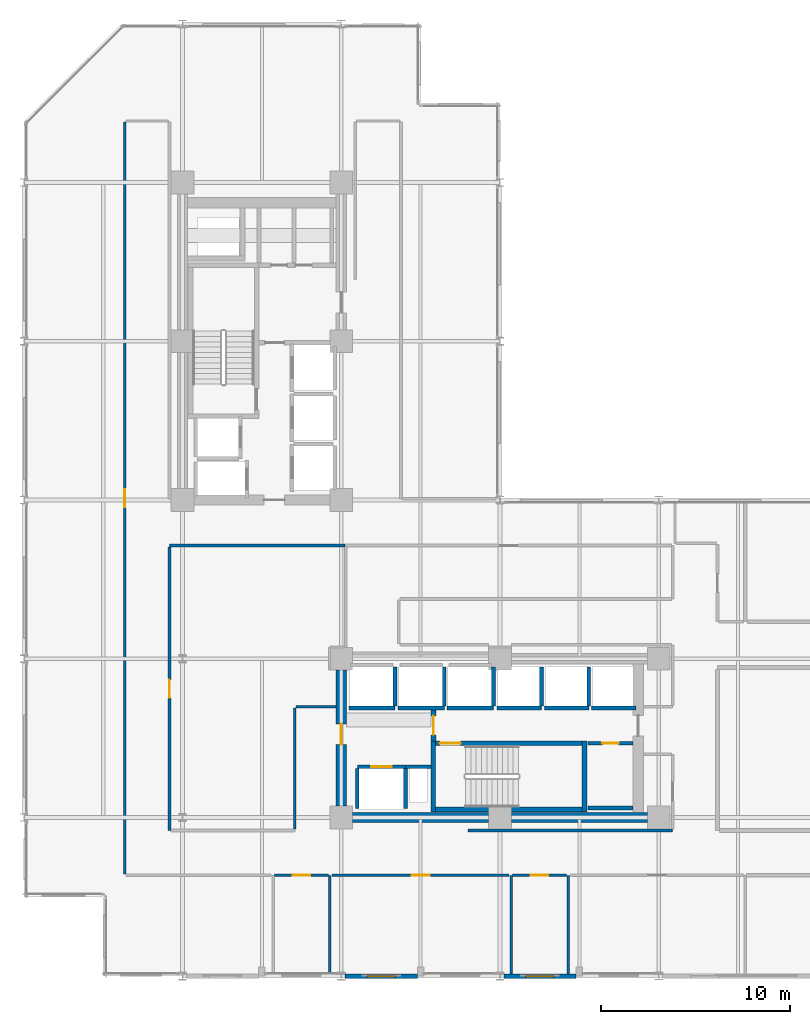
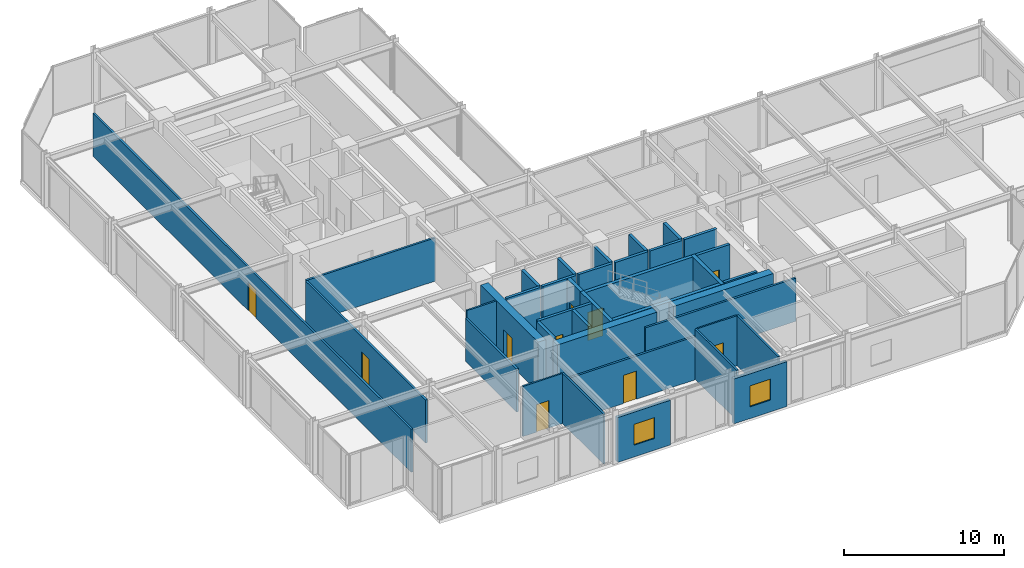
# One storey, part 32 of 38: 39 walls, 10 doors, 2 windows, 12 openings.
"""IFC4 building model written with IfcOpenShell, lengths in metres."""

from ifc_helpers import new_model, si_unit, direction, frame, frame_2d, origin, place, context, subcontext, project, spatial, rectangle, extrude, material, layer, layer_set, type_object, element, fill, save


model = new_model("IFC4")

# Units and contexts
model_context = context("Model", 3, precision=1e-05, world=origin(), true_north=direction((0.0, 1.0)))
body_context = subcontext(model_context, "Body", "Model", "MODEL_VIEW")
ifc_project = project(units=[si_unit("LENGTHUNIT", "METRE"), si_unit("AREAUNIT", "SQUARE_METRE"), si_unit("VOLUMEUNIT", "CUBIC_METRE"), si_unit("PLANEANGLEUNIT", "RADIAN"), si_unit("MASSUNIT", "GRAM", prefix="KILO")], contexts=[model_context])

# Site, building, storey
site_placement = place(None, origin())
site = spatial("IfcSite", under=ifc_project, at=site_placement, CompositionType="ELEMENT")
building_placement = place(site_placement, origin())
building = spatial("IfcBuilding", under=site, at=building_placement, Name="Nerrivon Quay Data Exchange", CompositionType="ELEMENT")
storey_placement = place(building_placement, frame((0.0, 0.0, 88.5)))
storey = spatial("IfcBuildingStorey", under=building, at=storey_placement, Name="L20", CompositionType="ELEMENT", Elevation=88.5)

# Wall, opening, window
ifc_material_1 = material(Name="Architectural terracotta precast concrete N50 (50 MPa)", Category="masonry")
ifc_layer_1 = layer(ifc_material_1, 0.239990234375)
ifc_layer_set_1 = layer_set([ifc_layer_1], Name="Architectural terracotta precast concrete N50 (50 MPa)")
wall_type_1 = type_object("IfcWallType", Name="EW-PREC-240", PredefinedType="STANDARD", material=ifc_layer_set_1)
wall_1_placement = place(storey_placement, frame((29.22509765625, 0.0, 0.0), z_axis=(0.0, 0.0, 1.0), x_axis=(-1.0, 0.0, 0.0)))
wall_1 = element("IfcWall", 1, at=wall_1_placement, inside=storey, type_object=wall_type_1, Name="L20 Podium Precast Spandrel Wall 9", PredefinedType="STANDARD", context=body_context, shape_type="SweptSolid", body=[
    extrude(rectangle(XDim=3.8251953125, YDim=0.239990234375, at=frame_2d((1.91259765625, 0.0))), origin(), (0.0, 0.0, 1.0), 3.422119140625),
])
opening_1_placement = place(wall_1_placement, frame((1.175048828125, 0.0, 0.89990234375)))
opening_1 = element("IfcOpeningElement", 2, at=opening_1_placement, cuts=wall_1, Name="Opening WN4", PredefinedType="OPENING", context=body_context, shape_type="SweptSolid", body=[
    extrude(rectangle(XDim=1.5, YDim=1.60009765625, at=frame_2d((0.75, 0.800048828125))), frame((0.0, 0.1298828125, 0.0), z_axis=(0.0, -1.0, 0.0), x_axis=(1.0, 0.0, 0.0)), (0.0, 0.0, 1.0), 0.260009765625),
])
ifc_material_2 = material(Name="Double-glazed low-E solar control glass", Category="glass")
window_type = type_object("IfcWindowType", Name="WIN-W4-1500x1600", PartitioningType="SINGLE_PANEL", PredefinedType="WINDOW", material=ifc_material_2)
window_1_placement = place(opening_1_placement, origin())
window_1 = element("IfcWindow", 3, at=window_1_placement, inside=storey, type_object=window_type, Name="L20 Solar Facade Window 9", OverallHeight=1.60009765625, OverallWidth=1.5, PartitioningType="SINGLE_PANEL", PredefinedType="WINDOW", context=body_context, shape_type="SweptSolid", body=[
    extrude(rectangle(XDim=1.5, YDim=1.60009765625, at=frame_2d((0.75, 0.800048828125))), frame((0.0, 0.030029296875, 0.0), z_axis=(0.0, -1.0, 0.0), x_axis=(1.0, 0.0, 0.0)), (0.0, 0.0, 1.0), 0.06005859375),
])
fill(opening_1, window_1)

wall_2_placement = place(storey_placement, frame((20.824951171875, 0.0, 0.0), z_axis=(0.0, 0.0, 1.0), x_axis=(-1.0, 0.0, 0.0)))
wall_2 = element("IfcWall", 4, at=wall_2_placement, inside=storey, type_object=wall_type_1, Name="L20 Podium Precast Spandrel Wall 11", PredefinedType="STANDARD", context=body_context, shape_type="SweptSolid", body=[
    extrude(rectangle(XDim=3.824951171875, YDim=0.239990234375, at=frame_2d((1.91259765625, 0.0))), origin(), (0.0, 0.0, 1.0), 3.422119140625),
])
opening_2_placement = place(wall_2_placement, frame((1.16259765625, 0.0, 0.89990234375)))
opening_2 = element("IfcOpeningElement", 5, at=opening_2_placement, cuts=wall_2, Name="Opening WN4", PredefinedType="OPENING", context=body_context, shape_type="SweptSolid", body=[
    extrude(rectangle(XDim=1.5, YDim=1.60009765625, at=frame_2d((0.75, 0.800048828125))), frame((0.0, 0.1298828125, 0.0), z_axis=(0.0, -1.0, 0.0), x_axis=(1.0, 0.0, 0.0)), (0.0, 0.0, 1.0), 0.260009765625),
])
window_2_placement = place(opening_2_placement, origin())
window_2 = element("IfcWindow", 6, at=window_2_placement, inside=storey, type_object=window_type, Name="L20 Solar Facade Window 11", OverallHeight=1.60009765625, OverallWidth=1.5, PartitioningType="SINGLE_PANEL", PredefinedType="WINDOW", context=body_context, shape_type="SweptSolid", body=[
    extrude(rectangle(XDim=1.5, YDim=1.60009765625, at=frame_2d((0.75, 0.800048828125))), frame((0.0, 0.030029296875, 0.0), z_axis=(0.0, -1.0, 0.0), x_axis=(1.0, 0.0, 0.0)), (0.0, 0.0, 1.0), 0.06005859375),
])
fill(opening_2, window_2)

# Walls
ifc_material_3 = material(Name="Concrete S65 (65 MPa)", Category="concrete")
ifc_layer_2 = layer(ifc_material_3, 0.550048828125)
ifc_layer_set_2 = layer_set([ifc_layer_2], Name="Concrete S65 (65 MPa)")
wall_type_2 = type_object("IfcWallType", Name="WALL-CW-700", PredefinedType="SHEAR", material=ifc_layer_set_2)
wall_3_placement = place(storey_placement, frame((17.39990234375, 8.39990234375, 0.0), z_axis=(0.0, 0.0, 1.0), x_axis=(1.0, 0.0, 0.0)))
element("IfcWall", 7, at=wall_3_placement, inside=storey, type_object=wall_type_2, Name="L20 East Split-Core Shear Wall ECW-S1", PredefinedType="SHEAR", context=body_context, shape_type="SweptSolid", body=[
    extrude(rectangle(XDim=7.2001953125, YDim=0.550048828125, at=frame_2d((3.60009765625, 0.0))), origin(), (0.0, 0.0, 1.0), 3.824951171875),
])
wall_4_placement = place(storey_placement, frame((25.800048828125, 8.39990234375, 0.0), z_axis=(0.0, 0.0, 1.0), x_axis=(1.0, 0.0, 0.0)))
element("IfcWall", 8, at=wall_4_placement, inside=storey, type_object=wall_type_2, Name="L20 East Split-Core Shear Wall ECW-S2", PredefinedType="SHEAR", context=body_context, shape_type="SweptSolid", body=[
    extrude(rectangle(XDim=7.199951171875, YDim=0.550048828125, at=frame_2d((3.60009765625, 0.0))), origin(), (0.0, 0.0, 1.0), 3.824951171875),
])

# Wall, opening, door
wall_5_placement = place(storey_placement, frame((16.800048828125, 9.0, 0.0), z_axis=(0.0, 0.0, 1.0), x_axis=(0.0, 1.0, 0.0)))
wall_5 = element("IfcWall", 9, at=wall_5_placement, inside=storey, type_object=wall_type_2, Name="L20 East Split-Core Shear Wall ECW-W1", PredefinedType="SHEAR", context=body_context, shape_type="SweptSolid", body=[
    extrude(rectangle(XDim=7.199951171875, YDim=0.550048828125, at=frame_2d((3.60009765625, 0.0))), origin(), (0.0, 0.0, 1.0), 3.824951171875),
])
opening_3_placement = place(wall_5_placement, frame((3.25, 0.0, 0.0)))
opening_3 = element("IfcOpeningElement", 10, at=opening_3_placement, cuts=wall_5, Name="Opening FD-120", PredefinedType="OPENING", context=body_context, shape_type="SweptSolid", body=[
    extrude(rectangle(XDim=1.10009765625, YDim=2.14990234375, at=frame_2d((0.550048828125, 1.074951171875))), frame((0.0, 0.284912109375, 0.0), z_axis=(0.0, -1.0, 0.0), x_axis=(1.0, 0.0, 0.0)), (0.0, 0.0, 1.0), 0.570068359375),
])
ifc_material_4 = material(Name="Powder-coated galvanized steel sheet", Category="steel")
door_type_1 = type_object("IfcDoorType", Name="DR-FD120-1100", OperationType="NOTDEFINED", PredefinedType="DOOR", material=ifc_material_4)
door_1_placement = place(opening_3_placement, origin())
door_1 = element("IfcDoor", 11, at=door_1_placement, inside=storey, type_object=door_type_1, Name="L20 East Core Lobby Fire Door", OperationType="SINGLE_SWING_RIGHT", OverallHeight=2.14990234375, OverallWidth=1.10009765625, PredefinedType="DOOR", context=body_context, shape_type="SweptSolid", body=[
    extrude(rectangle(XDim=1.10009765625, YDim=2.14990234375, at=frame_2d((0.550048828125, 1.074951171875))), frame((0.0, 0.02490234375, 0.0), z_axis=(0.0, -1.0, 0.0), x_axis=(1.0, 0.0, 0.0)), (0.0, 0.0, 1.0), 0.050048828125),
])
fill(opening_3, door_1)

# Wall
ifc_material_5 = material(Name="Gypsum plasterboard on cold-formed framing", Category="gypsum")
ifc_layer_3 = layer(ifc_material_5, 0.199951171875)
ifc_layer_set_3 = layer_set([ifc_layer_3], Name="Gypsum plasterboard on cold-formed framing")
wall_type_3 = type_object("IfcWallType", Name="WALL-FW-200", PredefinedType="PARTITIONING", material=ifc_layer_set_3)
wall_6_placement = place(storey_placement, frame((20.199951171875, 11.080078125, 0.0), z_axis=(0.0, 0.0, 1.0), x_axis=(1.0, 0.0, 0.0)))
element("IfcWall", 12, at=wall_6_placement, inside=storey, type_object=wall_type_3, Name="L20 East Core MEP Riser Shaft Wall N", PredefinedType="PARTITIONING", context=body_context, shape_type="SweptSolid", body=[
    extrude(rectangle(XDim=1.35009765625, YDim=0.199951171875, at=frame_2d((0.675048828125, 0.0))), origin(), (0.0, 0.0, 1.0), 3.824951171875),
])

# Wall, opening, door
wall_7_placement = place(storey_placement, frame((17.64990234375, 11.080078125, 0.0), z_axis=(0.0, 0.0, 1.0), x_axis=(1.0, 0.0, 0.0)))
wall_7 = element("IfcWall", 13, at=wall_7_placement, inside=storey, type_object=wall_type_3, Name="L20 Lift Front Wall FFL-2", PredefinedType="PARTITIONING", context=body_context, shape_type="SweptSolid", body=[
    extrude(rectangle(XDim=2.550048828125, YDim=0.199951171875, at=frame_2d((1.27490234375, 0.0))), origin(), (0.0, 0.0, 1.0), 3.824951171875),
])
opening_4_placement = place(wall_7_placement, frame((0.72509765625, 0.0, 0.0)))
opening_4 = element("IfcOpeningElement", 14, at=opening_4_placement, cuts=wall_7, Name="Opening LD-120", PredefinedType="OPENING", context=body_context, shape_type="SweptSolid", body=[
    extrude(rectangle(XDim=1.10009765625, YDim=2.199951171875, at=frame_2d((0.550048828125, 1.10009765625))), frame((0.0, 0.10986328125, 0.0), z_axis=(0.0, -1.0, 0.0), x_axis=(1.0, 0.0, 0.0)), (0.0, 0.0, 1.0), 0.219970703125),
])
door_type_2 = type_object("IfcDoorType", Name="DR-LIFT-LD120", OperationType="DOUBLE_DOOR_SLIDING", PredefinedType="DOOR", material=ifc_material_4)
door_2_placement = place(opening_4_placement, origin())
door_2 = element("IfcDoor", 15, at=door_2_placement, inside=storey, type_object=door_type_2, Name="L20 Lift Landing Sliding Door FFL-2", OperationType="DOUBLE_DOOR_SLIDING", OverallHeight=2.199951171875, OverallWidth=1.10009765625, PredefinedType="DOOR", context=body_context, shape_type="SweptSolid", body=[
    extrude(rectangle(XDim=1.10009765625, YDim=2.199951171875, at=frame_2d((0.550048828125, 1.10009765625))), frame((0.0, 0.02490234375, 0.0), z_axis=(0.0, -1.0, 0.0), x_axis=(1.0, 0.0, 0.0)), (0.0, 0.0, 1.0), 0.050048828125),
])
fill(opening_4, door_2)

# Walls
for number, where, z_axis, x_axis, name in (
    (16, (20.199951171875, 8.8798828125, 0.0), (0.0, 0.0, 1.0), (0.0, 1.0, 0.0), "L20 Lift Shaft Wall FFL-2 EAST"),
    (17, (17.64990234375, 8.8798828125, 0.0), (0.0, 0.0, 1.0), (0.0, 1.0, 0.0), "L20 Lift Shaft Wall FFL-2 WEST"),
):
    element("IfcWall", number, at=place(storey_placement, frame(where, z_axis=z_axis, x_axis=x_axis)), inside=storey, type_object=wall_type_3, Name=name, PredefinedType="PARTITIONING", context=body_context, shape_type="SweptSolid", body=[
        extrude(rectangle(XDim=2.10009765625, YDim=0.199951171875, at=frame_2d((1.050048828125, 0.0))), origin(), (0.0, 0.0, 1.0), 3.824951171875),
    ])
wall_8_placement = place(storey_placement, frame((17.199951171875, 14.199951171875, 0.0), z_axis=(0.0, 0.0, 1.0), x_axis=(1.0, 0.0, 0.0)))
element("IfcWall", 18, at=wall_8_placement, inside=storey, type_object=wall_type_3, Name="L20 Lift Front Wall PL4", PredefinedType="PARTITIONING", context=body_context, shape_type="SweptSolid", body=[
    extrude(rectangle(XDim=2.449951171875, YDim=0.199951171875, at=frame_2d((1.22509765625, 0.0))), origin(), (0.0, 0.0, 1.0), 3.824951171875),
])
wall_9_placement = place(storey_placement, frame((19.64990234375, 14.300048828125, 0.0), z_axis=(0.0, 0.0, 1.0), x_axis=(0.0, 1.0, 0.0)))
element("IfcWall", 19, at=wall_9_placement, inside=storey, type_object=wall_type_3, Name="L20 Lift Shaft Wall PL4 EAST", PredefinedType="PARTITIONING", context=body_context, shape_type="SweptSolid", body=[
    extrude(rectangle(XDim=2.050048828125, YDim=0.199951171875, at=frame_2d((1.02490234375, 0.0))), origin(), (0.0, 0.0, 1.0), 3.824951171875),
])
wall_10_placement = place(storey_placement, frame((19.800048828125, 14.199951171875, 0.0), z_axis=(0.0, 0.0, 1.0), x_axis=(1.0, 0.0, 0.0)))
element("IfcWall", 20, at=wall_10_placement, inside=storey, type_object=wall_type_3, Name="L20 Lift Front Wall PL5", PredefinedType="PARTITIONING", context=body_context, shape_type="SweptSolid", body=[
    extrude(rectangle(XDim=2.449951171875, YDim=0.199951171875, at=frame_2d((1.22509765625, 0.0))), origin(), (0.0, 0.0, 1.0), 3.824951171875),
])
wall_11_placement = place(storey_placement, frame((22.25, 14.300048828125, 0.0), z_axis=(0.0, 0.0, 1.0), x_axis=(0.0, 1.0, 0.0)))
element("IfcWall", 21, at=wall_11_placement, inside=storey, type_object=wall_type_3, Name="L20 Lift Shaft Wall PL5 EAST", PredefinedType="PARTITIONING", context=body_context, shape_type="SweptSolid", body=[
    extrude(rectangle(XDim=2.050048828125, YDim=0.199951171875, at=frame_2d((1.02490234375, 0.0))), origin(), (0.0, 0.0, 1.0), 3.824951171875),
])
wall_12_placement = place(storey_placement, frame((22.39990234375, 14.199951171875, 0.0), z_axis=(0.0, 0.0, 1.0), x_axis=(1.0, 0.0, 0.0)))
element("IfcWall", 22, at=wall_12_placement, inside=storey, type_object=wall_type_3, Name="L20 Lift Front Wall PL6", PredefinedType="PARTITIONING", context=body_context, shape_type="SweptSolid", body=[
    extrude(rectangle(XDim=2.4501953125, YDim=0.199951171875, at=frame_2d((1.22509765625, 0.0))), origin(), (0.0, 0.0, 1.0), 3.824951171875),
])
wall_13_placement = place(storey_placement, frame((24.85009765625, 14.300048828125, 0.0), z_axis=(0.0, 0.0, 1.0), x_axis=(0.0, 1.0, 0.0)))
element("IfcWall", 23, at=wall_13_placement, inside=storey, type_object=wall_type_3, Name="L20 Lift Shaft Wall PL6 EAST", PredefinedType="PARTITIONING", context=body_context, shape_type="SweptSolid", body=[
    extrude(rectangle(XDim=2.050048828125, YDim=0.199951171875, at=frame_2d((1.02490234375, 0.0))), origin(), (0.0, 0.0, 1.0), 3.824951171875),
])
wall_14_placement = place(storey_placement, frame((25.050048828125, 14.199951171875, 0.0), z_axis=(0.0, 0.0, 1.0), x_axis=(1.0, 0.0, 0.0)))
element("IfcWall", 24, at=wall_14_placement, inside=storey, type_object=wall_type_3, Name="L20 Lift Front Wall PL7", PredefinedType="PARTITIONING", context=body_context, shape_type="SweptSolid", body=[
    extrude(rectangle(XDim=2.349853515625, YDim=0.199951171875, at=frame_2d((1.1748046875, 0.0))), origin(), (0.0, 0.0, 1.0), 3.824951171875),
])
wall_15_placement = place(storey_placement, frame((27.39990234375, 14.300048828125, 0.0), z_axis=(0.0, 0.0, 1.0), x_axis=(0.0, 1.0, 0.0)))
element("IfcWall", 25, at=wall_15_placement, inside=storey, type_object=wall_type_3, Name="L20 Lift Shaft Wall PL7 EAST", PredefinedType="PARTITIONING", context=body_context, shape_type="SweptSolid", body=[
    extrude(rectangle(XDim=2.050048828125, YDim=0.199951171875, at=frame_2d((1.02490234375, 0.0))), origin(), (0.0, 0.0, 1.0), 3.824951171875),
])
wall_16_placement = place(storey_placement, frame((27.550048828125, 14.199951171875, 0.0), z_axis=(0.0, 0.0, 1.0), x_axis=(1.0, 0.0, 0.0)))
element("IfcWall", 26, at=wall_16_placement, inside=storey, type_object=wall_type_3, Name="L20 Lift Front Wall PL8", PredefinedType="PARTITIONING", context=body_context, shape_type="SweptSolid", body=[
    extrude(rectangle(XDim=2.349853515625, YDim=0.199951171875, at=frame_2d((1.1748046875, 0.0))), origin(), (0.0, 0.0, 1.0), 3.824951171875),
])
wall_17_placement = place(storey_placement, frame((29.89990234375, 14.300048828125, 0.0), z_axis=(0.0, 0.0, 1.0), x_axis=(0.0, 1.0, 0.0)))
element("IfcWall", 27, at=wall_17_placement, inside=storey, type_object=wall_type_3, Name="L20 Lift Shaft Wall PL8 EAST", PredefinedType="PARTITIONING", context=body_context, shape_type="SweptSolid", body=[
    extrude(rectangle(XDim=2.050048828125, YDim=0.199951171875, at=frame_2d((1.02490234375, 0.0))), origin(), (0.0, 0.0, 1.0), 3.824951171875),
])
wall_18_placement = place(storey_placement, frame((30.050048828125, 14.199951171875, 0.0), z_axis=(0.0, 0.0, 1.0), x_axis=(1.0, 0.0, 0.0)))
element("IfcWall", 28, at=wall_18_placement, inside=storey, type_object=wall_type_3, Name="L20 Lift Front Wall PL9", PredefinedType="PARTITIONING", context=body_context, shape_type="SweptSolid", body=[
    extrude(rectangle(XDim=2.349853515625, YDim=0.199951171875, at=frame_2d((1.1748046875, 0.0))), origin(), (0.0, 0.0, 1.0), 3.824951171875),
])

# Wall, opening, door
wall_19_placement = place(storey_placement, frame((32.24609375, 12.330078125, 0.0), z_axis=(0.0, 0.0, 1.0), x_axis=(-1.0, 0.0, 0.0)))
wall_19 = element("IfcWall", 29, at=wall_19_placement, inside=storey, type_object=wall_type_3, Name="L20 Partition East Supply Store", PredefinedType="PARTITIONING", context=body_context, shape_type="SweptSolid", body=[
    extrude(rectangle(XDim=2.39599609375, YDim=0.199951171875, at=frame_2d((1.197998046875, 0.0))), origin(), (0.0, 0.0, 1.0), 3.824951171875),
])
opening_5_placement = place(wall_19_placement, frame((0.77294921875, 0.0, 0.0)))
opening_5 = element("IfcOpeningElement", 30, at=opening_5_placement, cuts=wall_19, Name="Opening FD-60S", PredefinedType="OPENING", context=body_context, shape_type="SweptSolid", body=[
    extrude(rectangle(XDim=0.85009765625, YDim=2.14990234375, at=frame_2d((0.425048828125, 1.074951171875))), frame((0.0, 0.10986328125, 0.0), z_axis=(0.0, -1.0, 0.0), x_axis=(1.0, 0.0, 0.0)), (0.0, 0.0, 1.0), 0.219970703125),
])
ifc_material_6 = material(Name="Engineered hardwood timber", Category="wood")
door_type_3 = type_object("IfcDoorType", Name="DR-FD60-850", OperationType="NOTDEFINED", PredefinedType="DOOR", material=ifc_material_6)
door_3_placement = place(opening_5_placement, origin())
door_3 = element("IfcDoor", 31, at=door_3_placement, inside=storey, type_object=door_type_3, Name="L20 Door East Supply Store", OperationType="SINGLE_SWING_LEFT", OverallHeight=2.14990234375, OverallWidth=0.85009765625, PredefinedType="DOOR", context=body_context, shape_type="SweptSolid", body=[
    extrude(rectangle(XDim=0.85009765625, YDim=2.14990234375, at=frame_2d((0.425048828125, 1.074951171875))), frame((0.0, 0.02490234375, 0.0), z_axis=(0.0, -1.0, 0.0), x_axis=(1.0, 0.0, 0.0)), (0.0, 0.0, 1.0), 0.050048828125),
])
fill(opening_5, door_3)

# Wall
wall_20_placement = place(storey_placement, frame((29.85009765625, 8.89990234375, 0.0), z_axis=(0.0, 0.0, 1.0), x_axis=(1.0, 0.0, 0.0)))
element("IfcWall", 32, at=wall_20_placement, inside=storey, type_object=wall_type_3, Name="L20 Partition East Supply Store", PredefinedType="PARTITIONING", context=body_context, shape_type="SweptSolid", body=[
    extrude(rectangle(XDim=2.39599609375, YDim=0.199951171875, at=frame_2d((1.197998046875, 0.0))), origin(), (0.0, 0.0, 1.0), 3.824951171875),
])

# Wall, opening, door
ifc_layer_4 = layer(ifc_material_5, 0.1201171875)
ifc_layer_set_4 = layer_set([ifc_layer_4], Name="Gypsum plasterboard on cold-formed framing")
wall_type_4 = type_object("IfcWallType", Name="WALL-PT-120", PredefinedType="PARTITIONING", material=ifc_layer_set_4)
wall_21_placement = place(storey_placement, frame((16.12841796875, 5.340087890625, 0.0), z_axis=(0.0, 0.0, 1.0), x_axis=(-1.0, 0.0, 0.0)))
wall_21 = element("IfcWall", 33, at=wall_21_placement, inside=storey, type_object=wall_type_4, Name="L20 Partition Accessible Toilet", PredefinedType="PARTITIONING", context=body_context, shape_type="SweptSolid", body=[
    extrude(rectangle(XDim=2.85693359375, YDim=0.1201171875, at=frame_2d((1.428466796875, 0.0))), origin(), (0.0, 0.0, 1.0), 3.824951171875),
])
opening_6_placement = place(wall_21_placement, frame((0.968505859375, 0.0, 0.0)))
opening_6 = element("IfcOpeningElement", 34, at=opening_6_placement, cuts=wall_21, Name="Opening D-WC", PredefinedType="OPENING", context=body_context, shape_type="SweptSolid", body=[
    extrude(rectangle(XDim=0.919921875, YDim=2.10009765625, at=frame_2d((0.4599609375, 1.050048828125))), frame((0.0, 0.070068359375, 0.0), z_axis=(0.0, -1.0, 0.0), x_axis=(1.0, 0.0, 0.0)), (0.0, 0.0, 1.0), 0.14013671875),
])
door_type_4 = type_object("IfcDoorType", Name="DR-WC-920", OperationType="NOTDEFINED", PredefinedType="DOOR", material=ifc_material_6)
door_4_placement = place(opening_6_placement, origin())
door_4 = element("IfcDoor", 35, at=door_4_placement, inside=storey, type_object=door_type_4, Name="L20 Door Accessible Toilet", OperationType="SINGLE_SWING_RIGHT", OverallHeight=2.10009765625, OverallWidth=0.919921875, PredefinedType="DOOR", context=body_context, shape_type="SweptSolid", body=[
    extrude(rectangle(XDim=0.919921875, YDim=2.10009765625, at=frame_2d((0.4599609375, 1.050048828125))), frame((0.0, 0.02490234375, 0.0), z_axis=(0.0, -1.0, 0.0), x_axis=(1.0, 0.0, 0.0)), (0.0, 0.0, 1.0), 0.050048828125),
])
fill(opening_6, door_4)

wall_22_placement = place(storey_placement, frame((28.728515625, 5.340087890625, 0.0), z_axis=(0.0, 0.0, 1.0), x_axis=(-1.0, 0.0, 0.0)))
wall_22 = element("IfcWall", 36, at=wall_22_placement, inside=storey, type_object=wall_type_4, Name="L20 Partition Public Washrooms", PredefinedType="PARTITIONING", context=body_context, shape_type="SweptSolid", body=[
    extrude(rectangle(XDim=2.85693359375, YDim=0.1201171875, at=frame_2d((1.428466796875, 0.0))), origin(), (0.0, 0.0, 1.0), 3.824951171875),
])
opening_7_placement = place(wall_22_placement, frame((0.968505859375, 0.0, 0.0)))
opening_7 = element("IfcOpeningElement", 37, at=opening_7_placement, cuts=wall_22, Name="Opening D-WC", PredefinedType="OPENING", context=body_context, shape_type="SweptSolid", body=[
    extrude(rectangle(XDim=0.919921875, YDim=2.10009765625, at=frame_2d((0.4599609375, 1.050048828125))), frame((0.0, 0.070068359375, 0.0), z_axis=(0.0, -1.0, 0.0), x_axis=(1.0, 0.0, 0.0)), (0.0, 0.0, 1.0), 0.14013671875),
])
door_5_placement = place(opening_7_placement, origin())
door_5 = element("IfcDoor", 38, at=door_5_placement, inside=storey, type_object=door_type_4, Name="L20 Door Public Washrooms", OperationType="SINGLE_SWING_LEFT", OverallHeight=2.10009765625, OverallWidth=0.919921875, PredefinedType="DOOR", context=body_context, shape_type="SweptSolid", body=[
    extrude(rectangle(XDim=0.919921875, YDim=2.10009765625, at=frame_2d((0.4599609375, 1.050048828125))), frame((0.0, 0.02490234375, 0.0), z_axis=(0.0, -1.0, 0.0), x_axis=(1.0, 0.0, 0.0)), (0.0, 0.0, 1.0), 0.050048828125),
])
fill(opening_7, door_5)

# Walls
wall_23_placement = place(storey_placement, frame((14.39990234375, 14.260009765625, 0.0), z_axis=(0.0, 0.0, 1.0), x_axis=(1.0, 0.0, 0.0)))
element("IfcWall", 39, at=wall_23_placement, inside=storey, type_object=wall_type_4, Name="L20 Partition Cloud Compute Workspace 1", PredefinedType="PARTITIONING", context=body_context, shape_type="SweptSolid", body=[
    extrude(rectangle(XDim=2.12109375, YDim=0.1201171875, at=frame_2d((1.060546875, 0.0))), origin(), (0.0, 0.0, 1.0), 3.824951171875),
])
ifc_layer_5 = layer(ifc_material_5, 0.135009765625)
ifc_layer_set_5 = layer_set([ifc_layer_5], Name="Gypsum plasterboard on cold-formed framing")
wall_type_5 = type_object("IfcWallType", Name="WALL-PT-135", PredefinedType="PARTITIONING", material=ifc_layer_set_5)
wall_24_placement = place(storey_placement, frame((16.199951171875, 0.1689453125, 0.0), z_axis=(0.0, 0.0, 1.0), x_axis=(0.0, 1.0, 0.0)))
element("IfcWall", 40, at=wall_24_placement, inside=storey, type_object=wall_type_5, Name="L20 Partition Accessible Toilet", PredefinedType="PARTITIONING", context=body_context, shape_type="SweptSolid", body=[
    extrude(rectangle(XDim=5.171142578125, YDim=0.135009765625, at=frame_2d((2.58544921875, 0.0))), origin(), (0.0, 0.0, 1.0), 3.824951171875),
])
for number, where, z_axis, x_axis, name in (
    (41, (25.800048828125, 5.340087890625, 0.0), (0.0, 0.0, 1.0), (0.0, -1.0, 0.0), "L20 Partition Public Washrooms"),
    (42, (28.800048828125, 0.1240234375, 0.0), (0.0, 0.0, 1.0), (0.0, 1.0, 0.0), "L20 Partition Public Washrooms"),
):
    element("IfcWall", number, at=place(storey_placement, frame(where, z_axis=z_axis, x_axis=x_axis)), inside=storey, type_object=wall_type_5, Name=name, PredefinedType="PARTITIONING", context=body_context, shape_type="SweptSolid", body=[
        extrude(rectangle(XDim=5.216064453125, YDim=0.135009765625, at=frame_2d((2.60791015625, 0.0))), origin(), (0.0, 0.0, 1.0), 3.824951171875),
    ])
ifc_layer_6 = layer(ifc_material_5, 0.14990234375)
ifc_layer_set_6 = layer_set([ifc_layer_6], Name="Gypsum plasterboard on cold-formed framing")
wall_type_6 = type_object("IfcWallType", Name="WALL-PT-150", PredefinedType="PARTITIONING", material=ifc_layer_set_6)
wall_25_placement = place(storey_placement, frame((23.50244140625, 7.7099609375, 0.0), z_axis=(0.0, 0.0, 1.0), x_axis=(1.0, 0.0, 0.0)))
element("IfcWall", 43, at=wall_25_placement, inside=storey, type_object=wall_type_6, Name="L20 Partition Staff Pantry", PredefinedType="PARTITIONING", context=body_context, shape_type="SweptSolid", body=[
    extrude(rectangle(XDim=10.837646484375, YDim=0.14990234375, at=frame_2d((5.4189453125, 0.0))), origin(), (0.0, 0.0, 1.0), 3.297119140625),
])

# Wall, opening, door
wall_26_placement = place(storey_placement, frame((25.679931640625, 5.340087890625, 0.0), z_axis=(0.0, 0.0, 1.0), x_axis=(-1.0, 0.0, 0.0)))
wall_26 = element("IfcWall", 44, at=wall_26_placement, inside=storey, type_object=wall_type_6, Name="L20 Partition Mail and Crew Room", PredefinedType="PARTITIONING", context=body_context, shape_type="SweptSolid", body=[
    extrude(rectangle(XDim=9.35986328125, YDim=0.14990234375, at=frame_2d((4.679931640625, 0.0))), origin(), (0.0, 0.0, 1.0), 3.297119140625),
])
opening_8_placement = place(wall_26_placement, frame((4.205078125, 0.0, 0.0)))
opening_8 = element("IfcOpeningElement", 45, at=opening_8_placement, cuts=wall_26, Name="Opening D-01", PredefinedType="OPENING", context=body_context, shape_type="SweptSolid", body=[
    extrude(rectangle(XDim=0.949951171875, YDim=2.14990234375, at=frame_2d((0.47509765625, 1.074951171875))), frame((0.0, 0.0849609375, 0.0), z_axis=(0.0, -1.0, 0.0), x_axis=(1.0, 0.0, 0.0)), (0.0, 0.0, 1.0), 0.169921875),
])
door_type_5 = type_object("IfcDoorType", Name="DR-INT-950", OperationType="NOTDEFINED", PredefinedType="DOOR", material=ifc_material_6)
door_6_placement = place(opening_8_placement, origin())
door_6 = element("IfcDoor", 46, at=door_6_placement, inside=storey, type_object=door_type_5, Name="L20 Door Mail and Crew Room", OperationType="SINGLE_SWING_RIGHT", OverallHeight=2.14990234375, OverallWidth=0.949951171875, PredefinedType="DOOR", context=body_context, shape_type="SweptSolid", body=[
    extrude(rectangle(XDim=0.949951171875, YDim=2.14990234375, at=frame_2d((0.47509765625, 1.074951171875))), frame((0.0, 0.02490234375, 0.0), z_axis=(0.0, -1.0, 0.0), x_axis=(1.0, 0.0, 0.0)), (0.0, 0.0, 1.0), 0.050048828125),
])
fill(opening_8, door_6)

# Wall
wall_27_placement = place(storey_placement, frame((17.010498046875, 22.7900390625, 0.0), z_axis=(0.0, 0.0, 1.0), x_axis=(-1.0, 0.0, 0.0)))
element("IfcWall", 47, at=wall_27_placement, inside=storey, type_object=wall_type_6, Name="L20 Partition Cloud Compute Workspace 1", PredefinedType="PARTITIONING", context=body_context, shape_type="SweptSolid", body=[
    extrude(rectangle(XDim=9.300537109375, YDim=0.14990234375, at=frame_2d((4.650390625, 0.0))), origin(), (0.0, 0.0, 1.0), 3.297119140625),
])

# Wall, opening, door
wall_28_placement = place(storey_placement, frame((7.7099609375, 22.7109375, 0.0), z_axis=(0.0, 0.0, 1.0), x_axis=(0.0, -1.0, 0.0)))
wall_28 = element("IfcWall", 48, at=wall_28_placement, inside=storey, type_object=wall_type_6, Name="L20 Partition Cloud Compute Workspace 1", PredefinedType="PARTITIONING", context=body_context, shape_type="SweptSolid", body=[
    extrude(rectangle(XDim=15.0009765625, YDim=0.14990234375, at=frame_2d((7.50048828125, 0.0))), origin(), (0.0, 0.0, 1.0), 3.2919921875),
])
opening_9_placement = place(wall_28_placement, frame((7.025390625, 0.0, 0.0)))
opening_9 = element("IfcOpeningElement", 49, at=opening_9_placement, cuts=wall_28, Name="Opening D-01", PredefinedType="OPENING", context=body_context, shape_type="SweptSolid", body=[
    extrude(rectangle(XDim=0.949951171875, YDim=2.14990234375, at=frame_2d((0.47509765625, 1.074951171875))), frame((0.0, 0.0849609375, 0.0), z_axis=(0.0, -1.0, 0.0), x_axis=(1.0, 0.0, 0.0)), (0.0, 0.0, 1.0), 0.169921875),
])
door_7_placement = place(opening_9_placement, origin())
door_7 = element("IfcDoor", 50, at=door_7_placement, inside=storey, type_object=door_type_5, Name="L20 Door Cloud Compute Workspace 1", OperationType="SINGLE_SWING_RIGHT", OverallHeight=2.14990234375, OverallWidth=0.949951171875, PredefinedType="DOOR", context=body_context, shape_type="SweptSolid", body=[
    extrude(rectangle(XDim=0.949951171875, YDim=2.14990234375, at=frame_2d((0.47509765625, 1.074951171875))), frame((0.0, 0.02490234375, 0.0), z_axis=(0.0, -1.0, 0.0), x_axis=(1.0, 0.0, 0.0)), (0.0, 0.0, 1.0), 0.050048828125),
])
fill(opening_9, door_7)

# Wall
wall_29_placement = place(storey_placement, frame((14.340087890625, 7.7890625, 0.0), z_axis=(0.0, 0.0, 1.0), x_axis=(0.0, 1.0, 0.0)))
element("IfcWall", 51, at=wall_29_placement, inside=storey, type_object=wall_type_6, Name="L20 Partition Cloud Compute Workspace 1", PredefinedType="PARTITIONING", context=body_context, shape_type="SweptSolid", body=[
    extrude(rectangle(XDim=6.410888671875, YDim=0.14990234375, at=frame_2d((3.20556640625, 0.0))), origin(), (0.0, 0.0, 1.0), 3.2919921875),
])

# Wall, opening, door
wall_30_placement = place(storey_placement, frame((5.340087890625, 5.39990234375, 0.0), z_axis=(0.0, 0.0, 1.0), x_axis=(0.0, 1.0, 0.0)))
wall_30 = element("IfcWall", 52, at=wall_30_placement, inside=storey, type_object=wall_type_6, Name="L20 Partition Optical Engineering Studios Workspace", PredefinedType="PARTITIONING", context=body_context, shape_type="SweptSolid", body=[
    extrude(rectangle(XDim=39.800048828125, YDim=0.14990234375, at=frame_2d((19.89990234375, 0.0))), origin(), (0.0, 0.0, 1.0), 3.2919921875),
])
opening_10_placement = place(wall_30_placement, frame((19.425048828125, 0.0, 0.0)))
opening_10 = element("IfcOpeningElement", 53, at=opening_10_placement, cuts=wall_30, Name="Opening D-01", PredefinedType="OPENING", context=body_context, shape_type="SweptSolid", body=[
    extrude(rectangle(XDim=0.949951171875, YDim=2.14990234375, at=frame_2d((0.47509765625, 1.074951171875))), frame((0.0, 0.0849609375, 0.0), z_axis=(0.0, -1.0, 0.0), x_axis=(1.0, 0.0, 0.0)), (0.0, 0.0, 1.0), 0.169921875),
])
door_8_placement = place(opening_10_placement, origin())
door_8 = element("IfcDoor", 54, at=door_8_placement, inside=storey, type_object=door_type_5, Name="L20 Door Optical Engineering Studios Workspace", OperationType="SINGLE_SWING_LEFT", OverallHeight=2.14990234375, OverallWidth=0.949951171875, PredefinedType="DOOR", context=body_context, shape_type="SweptSolid", body=[
    extrude(rectangle(XDim=0.949951171875, YDim=2.14990234375, at=frame_2d((0.47509765625, 1.074951171875))), frame((0.0, 0.02490234375, 0.0), z_axis=(0.0, -1.0, 0.0), x_axis=(1.0, 0.0, 0.0)), (0.0, 0.0, 1.0), 0.050048828125),
])
fill(opening_10, door_8)

# Walls
ifc_material_7 = material(Name="Concrete N50 (50 MPa)", Category="concrete")
ifc_layer_7 = layer(ifc_material_7, 0.25)
ifc_layer_set_7 = layer_set([ifc_layer_7], Name="Concrete N50 (50 MPa)")
wall_type_7 = type_object("IfcWallType", Name="WALL-SW-250", PredefinedType="SHEAR", material=ifc_layer_set_7)
for number, where, z_axis, x_axis, name in (
    (55, (21.675048828125, 8.699951171875, 0.0), (0.0, 0.0, 1.0), (0.0, 1.0, 0.0), "L20 ST02 Structural Stair Core Wall NEAR"),
    (56, (29.675048828125, 8.699951171875, 0.0), (0.0, 0.0, 1.0), (0.0, 1.0, 0.0), "L20 ST02 Structural Stair Core Wall FAR"),
):
    element("IfcWall", number, at=place(storey_placement, frame(where, z_axis=z_axis, x_axis=x_axis)), inside=storey, type_object=wall_type_7, Name=name, PredefinedType="SHEAR", context=body_context, shape_type="SweptSolid", body=[
        extrude(rectangle(XDim=3.75, YDim=0.25, at=frame_2d((1.875, 0.0))), origin(), (0.0, 0.0, 1.0), 3.824951171875),
    ])
wall_31_placement = place(storey_placement, frame((21.800048828125, 8.824951171875, 0.0), z_axis=(0.0, 0.0, 1.0), x_axis=(1.0, 0.0, 0.0)))
element("IfcWall", 57, at=wall_31_placement, inside=storey, type_object=wall_type_7, Name="L20 ST02 Structural Stair Core Wall LEFT", PredefinedType="SHEAR", context=body_context, shape_type="SweptSolid", body=[
    extrude(rectangle(XDim=7.75, YDim=0.25, at=frame_2d((3.875, 0.0))), origin(), (0.0, 0.0, 1.0), 3.824951171875),
])

# Wall, opening, door
wall_32_placement = place(storey_placement, frame((21.800048828125, 12.324951171875, 0.0), z_axis=(0.0, 0.0, 1.0), x_axis=(1.0, 0.0, 0.0)))
wall_32 = element("IfcWall", 58, at=wall_32_placement, inside=storey, type_object=wall_type_7, Name="L20 ST02 Structural Stair Core Wall RIGHT", PredefinedType="SHEAR", context=body_context, shape_type="SweptSolid", body=[
    extrude(rectangle(XDim=7.75, YDim=0.25, at=frame_2d((3.875, 0.0))), origin(), (0.0, 0.0, 1.0), 3.824951171875),
])
opening_11_placement = place(wall_32_placement, frame((0.219970703125, 0.0, 0.0)))
opening_11 = element("IfcOpeningElement", 59, at=opening_11_placement, cuts=wall_32, Name="Opening FD-120", PredefinedType="OPENING", context=body_context, shape_type="SweptSolid", body=[
    extrude(rectangle(XDim=1.10009765625, YDim=2.14990234375, at=frame_2d((0.550048828125, 1.074951171875))), frame((0.0, 0.135009765625, 0.0), z_axis=(0.0, -1.0, 0.0), x_axis=(1.0, 0.0, 0.0)), (0.0, 0.0, 1.0), 0.27001953125),
])
door_9_placement = place(opening_11_placement, origin())
door_9 = element("IfcDoor", 60, at=door_9_placement, inside=storey, type_object=door_type_1, Name="L20 Protected Stair Door ST02", OperationType="SINGLE_SWING_RIGHT", OverallHeight=2.14990234375, OverallWidth=1.10009765625, PredefinedType="DOOR", context=body_context, shape_type="SweptSolid", body=[
    extrude(rectangle(XDim=1.10009765625, YDim=2.14990234375, at=frame_2d((0.550048828125, 1.074951171875))), frame((0.0, 0.02490234375, 0.0), z_axis=(0.0, -1.0, 0.0), x_axis=(1.0, 0.0, 0.0)), (0.0, 0.0, 1.0), 0.050048828125),
])
fill(opening_11, door_9)

wall_33_placement = place(storey_placement, frame((21.679931640625, 12.449951171875, 0.0), z_axis=(0.0, 0.0, 1.0), x_axis=(0.0, 1.0, 0.0)))
wall_33 = element("IfcWall", 61, at=wall_33_placement, inside=storey, type_object=wall_type_7, Name="L20 East Firefighting Lobby Wall", PredefinedType="SHEAR", context=body_context, shape_type="SweptSolid", body=[
    extrude(rectangle(XDim=1.650146484375, YDim=0.25, at=frame_2d((0.8251953125, 0.0))), origin(), (0.0, 0.0, 1.0), 3.824951171875),
])
opening_12_placement = place(wall_33_placement, frame((0.324951171875, 0.0, 0.0)))
opening_12 = element("IfcOpeningElement", 62, at=opening_12_placement, cuts=wall_33, Name="Opening FD-60", PredefinedType="OPENING", context=body_context, shape_type="SweptSolid", body=[
    extrude(rectangle(XDim=1.0, YDim=2.14990234375, at=frame_2d((0.5, 1.074951171875))), frame((0.0, 0.135009765625, 0.0), z_axis=(0.0, -1.0, 0.0), x_axis=(1.0, 0.0, 0.0)), (0.0, 0.0, 1.0), 0.27001953125),
])
door_type_6 = type_object("IfcDoorType", Name="DR-FD60-1000", OperationType="NOTDEFINED", PredefinedType="DOOR", material=ifc_material_6)
door_10_placement = place(opening_12_placement, origin())
door_10 = element("IfcDoor", 63, at=door_10_placement, inside=storey, type_object=door_type_6, Name="L20 East Firefighting Lobby Fire Door", OperationType="SINGLE_SWING_RIGHT", OverallHeight=2.14990234375, OverallWidth=1.0, PredefinedType="DOOR", context=body_context, shape_type="SweptSolid", body=[
    extrude(rectangle(XDim=1.0, YDim=2.14990234375, at=frame_2d((0.5, 1.074951171875))), frame((0.0, 0.02490234375, 0.0), z_axis=(0.0, -1.0, 0.0), x_axis=(1.0, 0.0, 0.0)), (0.0, 0.0, 1.0), 0.050048828125),
])
fill(opening_12, door_10)

save(model, "model.ifc")
